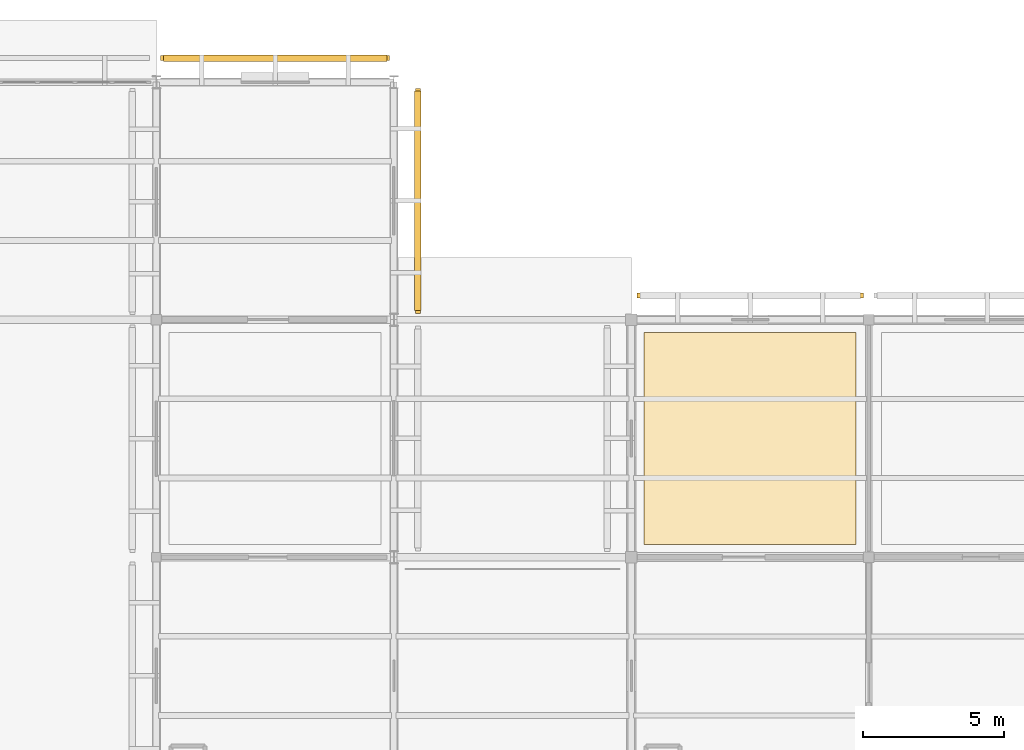
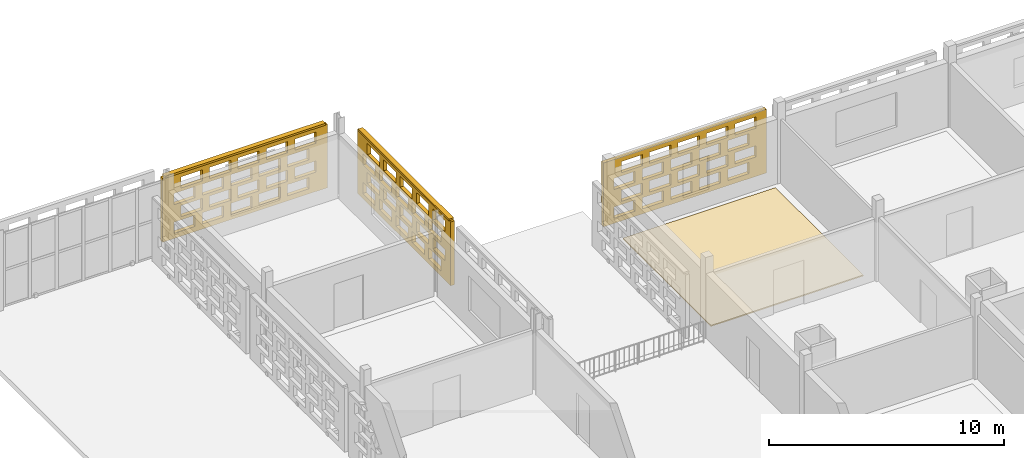
# One storey, part 137 of 140: 4 coverings, 2 shading devices, 60 openings.
"""IFC4 building model written with IfcOpenShell, lengths in metres."""

from ifc_helpers import new_model, si_unit, direction, frame, frame_2d, origin, origin_2d, place, context, subcontext, project, spatial, rectangle, extrude, material, layer, layer_set, type_object, element, save


model = new_model("IFC4")

# Units and contexts
model_context = context("Model", 3, precision=1e-05, world=origin(), true_north=direction((0.0, 1.0)))
body_context = subcontext(model_context, "Body", "Model", "MODEL_VIEW")
ifc_project = project(units=[si_unit("LENGTHUNIT", "METRE"), si_unit("AREAUNIT", "SQUARE_METRE"), si_unit("VOLUMEUNIT", "CUBIC_METRE"), si_unit("PLANEANGLEUNIT", "RADIAN"), si_unit("MASSUNIT", "GRAM", prefix="KILO")], contexts=[model_context])

# Site, building, storey
site_placement = place(None, origin())
site = spatial("IfcSite", under=ifc_project, at=site_placement, CompositionType="ELEMENT")
building_placement = place(site_placement, origin())
building = spatial("IfcBuilding", under=site, at=building_placement, Name="Varnapada Polytechnic", CompositionType="ELEMENT")
storey_placement = place(building_placement, frame((0.0, 0.0, 13.800048828125)))
storey = spatial("IfcBuildingStorey", under=building, at=storey_placement, Name="L03", CompositionType="ELEMENT", Elevation=13.800048828125)

# Covering
ifc_material_1 = material(Name="Anti-Static Raised Laboratory Flooring")
ifc_layer_1 = layer(ifc_material_1, 0.06005859375)
ifc_layer_set_1 = layer_set([ifc_layer_1], Name="Anti-Static Raised Laboratory Flooring")
covering_type_1 = type_object("IfcCoveringType", Name="Floor Finish FLR-02", PredefinedType="FLOORING", material=ifc_layer_set_1)
covering_1_placement = place(storey_placement, frame((147.0, 113.39990234375, 0.0), z_axis=(0.0, 0.0, 1.0), x_axis=(1.0, 0.0, 0.0)))
element("IfcCovering", 1, at=covering_1_placement, inside=storey, type_object=covering_type_1, Name="L03 floor finish panel (18,14)", PredefinedType="FLOORING", context=body_context, shape_type="SweptSolid", body=[
    extrude(rectangle(XDim=7.5, YDim=7.5, at=origin_2d()), origin(), (0.0, 0.0, 1.0), 0.06005859375),
])

# Covering, openings
ifc_material_2 = material(Name="Earth-toned architectural terracotta screen block", Category="masonry")
ifc_layer_2 = layer(ifc_material_2, 0.1201171875)
ifc_layer_set_2 = layer_set([ifc_layer_2], Name="Earth-toned architectural terracotta screen block")
covering_type_2 = type_object("IfcCoveringType", Name="Terracotta Screen Cladding CLD-01", PredefinedType="CLADDING", material=ifc_layer_set_2)
covering_2_placement = place(storey_placement, frame((126.14990234375, 126.85009765625, 0.0), z_axis=(0.0, 0.0, 1.0), x_axis=(1.0, 0.0, 0.0)))
covering_2 = element("IfcCovering", 2, at=covering_2_placement, inside=storey, type_object=covering_type_2, Name="L03 perforated terracotta block screen (76)", PredefinedType="CLADDING", context=body_context, shape_type="SweptSolid", body=[
    extrude(rectangle(XDim=8.10009765625, YDim=0.179931640625, at=frame_2d((4.050048828125, 0.0))), origin(), (0.0, 0.0, 1.0), 3.320068359375),
])
opening_1_placement = place(covering_2_placement, frame((0.550048828125, 0.0, 0.265625)))
element("IfcOpeningElement", 3, at=opening_1_placement, cuts=covering_2, Name="Screen perforation TBS-L03-075.1", PredefinedType="OPENING", context=body_context, shape_type="SweptSolid", body=[
    extrude(rectangle(XDim=1.0400390625, YDim=0.5810546875, at=frame_2d((0.52001953125, 0.29052734375))), frame((0.0, 0.099853515625, 0.0), z_axis=(0.0, -1.0, 0.0), x_axis=(1.0, 0.0, 0.0)), (0.0, 0.0, 1.0), 0.199951171875),
])
opening_2_placement = place(covering_2_placement, frame((1.949951171875, 0.0, 0.265625)))
element("IfcOpeningElement", 4, at=opening_2_placement, cuts=covering_2, Name="Screen perforation TBS-L03-075.2", PredefinedType="OPENING", context=body_context, shape_type="SweptSolid", body=[
    extrude(rectangle(XDim=1.0400390625, YDim=0.5810546875, at=frame_2d((0.52001953125, 0.29052734375))), frame((0.0, 0.099853515625, 0.0), z_axis=(0.0, -1.0, 0.0), x_axis=(1.0, 0.0, 0.0)), (0.0, 0.0, 1.0), 0.199951171875),
])
opening_3_placement = place(covering_2_placement, frame((3.35009765625, 0.0, 0.265625)))
element("IfcOpeningElement", 5, at=opening_3_placement, cuts=covering_2, Name="Screen perforation TBS-L03-075.3", PredefinedType="OPENING", context=body_context, shape_type="SweptSolid", body=[
    extrude(rectangle(XDim=1.0400390625, YDim=0.5810546875, at=frame_2d((0.52001953125, 0.29052734375))), frame((0.0, 0.099853515625, 0.0), z_axis=(0.0, -1.0, 0.0), x_axis=(1.0, 0.0, 0.0)), (0.0, 0.0, 1.0), 0.199951171875),
])
opening_4_placement = place(covering_2_placement, frame((4.75, 0.0, 0.265625)))
element("IfcOpeningElement", 6, at=opening_4_placement, cuts=covering_2, Name="Screen perforation TBS-L03-075.4", PredefinedType="OPENING", context=body_context, shape_type="SweptSolid", body=[
    extrude(rectangle(XDim=1.0400390625, YDim=0.5810546875, at=frame_2d((0.52001953125, 0.29052734375))), frame((0.0, 0.099853515625, 0.0), z_axis=(0.0, -1.0, 0.0), x_axis=(1.0, 0.0, 0.0)), (0.0, 0.0, 1.0), 0.199951171875),
])
opening_5_placement = place(covering_2_placement, frame((6.14990234375, 0.0, 0.265625)))
element("IfcOpeningElement", 7, at=opening_5_placement, cuts=covering_2, Name="Screen perforation TBS-L03-075.5", PredefinedType="OPENING", context=body_context, shape_type="SweptSolid", body=[
    extrude(rectangle(XDim=1.0400390625, YDim=0.5810546875, at=frame_2d((0.52001953125, 0.29052734375))), frame((0.0, 0.099853515625, 0.0), z_axis=(0.0, -1.0, 0.0), x_axis=(1.0, 0.0, 0.0)), (0.0, 0.0, 1.0), 0.199951171875),
])
opening_6_placement = place(covering_2_placement, frame((0.909912109375, 0.0, 1.0126953125)))
element("IfcOpeningElement", 8, at=opening_6_placement, cuts=covering_2, Name="Screen perforation TBS-L03-075.6", PredefinedType="OPENING", context=body_context, shape_type="SweptSolid", body=[
    extrude(rectangle(XDim=1.0400390625, YDim=0.5810546875, at=frame_2d((0.52001953125, 0.29052734375))), frame((0.0, 0.099853515625, 0.0), z_axis=(0.0, -1.0, 0.0), x_axis=(1.0, 0.0, 0.0)), (0.0, 0.0, 1.0), 0.199951171875),
])
opening_7_placement = place(covering_2_placement, frame((2.31005859375, 0.0, 1.0126953125)))
element("IfcOpeningElement", 9, at=opening_7_placement, cuts=covering_2, Name="Screen perforation TBS-L03-075.7", PredefinedType="OPENING", context=body_context, shape_type="SweptSolid", body=[
    extrude(rectangle(XDim=1.0400390625, YDim=0.5810546875, at=frame_2d((0.52001953125, 0.29052734375))), frame((0.0, 0.099853515625, 0.0), z_axis=(0.0, -1.0, 0.0), x_axis=(1.0, 0.0, 0.0)), (0.0, 0.0, 1.0), 0.199951171875),
])
opening_8_placement = place(covering_2_placement, frame((3.7099609375, 0.0, 1.0126953125)))
element("IfcOpeningElement", 10, at=opening_8_placement, cuts=covering_2, Name="Screen perforation TBS-L03-075.8", PredefinedType="OPENING", context=body_context, shape_type="SweptSolid", body=[
    extrude(rectangle(XDim=1.0400390625, YDim=0.5810546875, at=frame_2d((0.52001953125, 0.29052734375))), frame((0.0, 0.099853515625, 0.0), z_axis=(0.0, -1.0, 0.0), x_axis=(1.0, 0.0, 0.0)), (0.0, 0.0, 1.0), 0.199951171875),
])
opening_9_placement = place(covering_2_placement, frame((5.110107421875, 0.0, 1.0126953125)))
element("IfcOpeningElement", 11, at=opening_9_placement, cuts=covering_2, Name="Screen perforation TBS-L03-075.9", PredefinedType="OPENING", context=body_context, shape_type="SweptSolid", body=[
    extrude(rectangle(XDim=1.0400390625, YDim=0.5810546875, at=frame_2d((0.52001953125, 0.29052734375))), frame((0.0, 0.099853515625, 0.0), z_axis=(0.0, -1.0, 0.0), x_axis=(1.0, 0.0, 0.0)), (0.0, 0.0, 1.0), 0.199951171875),
])
opening_10_placement = place(covering_2_placement, frame((6.510009765625, 0.0, 1.0126953125)))
element("IfcOpeningElement", 12, at=opening_10_placement, cuts=covering_2, Name="Screen perforation TBS-L03-075.10", PredefinedType="OPENING", context=body_context, shape_type="SweptSolid", body=[
    extrude(rectangle(XDim=1.0400390625, YDim=0.5810546875, at=frame_2d((0.52001953125, 0.29052734375))), frame((0.0, 0.099853515625, 0.0), z_axis=(0.0, -1.0, 0.0), x_axis=(1.0, 0.0, 0.0)), (0.0, 0.0, 1.0), 0.199951171875),
])
opening_11_placement = place(covering_2_placement, frame((0.550048828125, 0.0, 1.759521484375)))
element("IfcOpeningElement", 13, at=opening_11_placement, cuts=covering_2, Name="Screen perforation TBS-L03-075.11", PredefinedType="OPENING", context=body_context, shape_type="SweptSolid", body=[
    extrude(rectangle(XDim=1.0400390625, YDim=0.5810546875, at=frame_2d((0.52001953125, 0.29052734375))), frame((0.0, 0.099853515625, 0.0), z_axis=(0.0, -1.0, 0.0), x_axis=(1.0, 0.0, 0.0)), (0.0, 0.0, 1.0), 0.199951171875),
])
opening_12_placement = place(covering_2_placement, frame((1.949951171875, 0.0, 1.759521484375)))
element("IfcOpeningElement", 14, at=opening_12_placement, cuts=covering_2, Name="Screen perforation TBS-L03-075.12", PredefinedType="OPENING", context=body_context, shape_type="SweptSolid", body=[
    extrude(rectangle(XDim=1.0400390625, YDim=0.5810546875, at=frame_2d((0.52001953125, 0.29052734375))), frame((0.0, 0.099853515625, 0.0), z_axis=(0.0, -1.0, 0.0), x_axis=(1.0, 0.0, 0.0)), (0.0, 0.0, 1.0), 0.199951171875),
])
opening_13_placement = place(covering_2_placement, frame((3.35009765625, 0.0, 1.759521484375)))
element("IfcOpeningElement", 15, at=opening_13_placement, cuts=covering_2, Name="Screen perforation TBS-L03-075.13", PredefinedType="OPENING", context=body_context, shape_type="SweptSolid", body=[
    extrude(rectangle(XDim=1.0400390625, YDim=0.5810546875, at=frame_2d((0.52001953125, 0.29052734375))), frame((0.0, 0.099853515625, 0.0), z_axis=(0.0, -1.0, 0.0), x_axis=(1.0, 0.0, 0.0)), (0.0, 0.0, 1.0), 0.199951171875),
])
opening_14_placement = place(covering_2_placement, frame((4.75, 0.0, 1.759521484375)))
element("IfcOpeningElement", 16, at=opening_14_placement, cuts=covering_2, Name="Screen perforation TBS-L03-075.14", PredefinedType="OPENING", context=body_context, shape_type="SweptSolid", body=[
    extrude(rectangle(XDim=1.0400390625, YDim=0.5810546875, at=frame_2d((0.52001953125, 0.29052734375))), frame((0.0, 0.099853515625, 0.0), z_axis=(0.0, -1.0, 0.0), x_axis=(1.0, 0.0, 0.0)), (0.0, 0.0, 1.0), 0.199951171875),
])
opening_15_placement = place(covering_2_placement, frame((6.14990234375, 0.0, 1.759521484375)))
element("IfcOpeningElement", 17, at=opening_15_placement, cuts=covering_2, Name="Screen perforation TBS-L03-075.15", PredefinedType="OPENING", context=body_context, shape_type="SweptSolid", body=[
    extrude(rectangle(XDim=1.0400390625, YDim=0.5810546875, at=frame_2d((0.52001953125, 0.29052734375))), frame((0.0, 0.099853515625, 0.0), z_axis=(0.0, -1.0, 0.0), x_axis=(1.0, 0.0, 0.0)), (0.0, 0.0, 1.0), 0.199951171875),
])
opening_16_placement = place(covering_2_placement, frame((0.909912109375, 0.0, 2.506591796875)))
element("IfcOpeningElement", 18, at=opening_16_placement, cuts=covering_2, Name="Screen perforation TBS-L03-075.16", PredefinedType="OPENING", context=body_context, shape_type="SweptSolid", body=[
    extrude(rectangle(XDim=1.0400390625, YDim=0.5810546875, at=frame_2d((0.52001953125, 0.29052734375))), frame((0.0, 0.099853515625, 0.0), z_axis=(0.0, -1.0, 0.0), x_axis=(1.0, 0.0, 0.0)), (0.0, 0.0, 1.0), 0.199951171875),
])
opening_17_placement = place(covering_2_placement, frame((2.31005859375, 0.0, 2.506591796875)))
element("IfcOpeningElement", 19, at=opening_17_placement, cuts=covering_2, Name="Screen perforation TBS-L03-075.17", PredefinedType="OPENING", context=body_context, shape_type="SweptSolid", body=[
    extrude(rectangle(XDim=1.0400390625, YDim=0.5810546875, at=frame_2d((0.52001953125, 0.29052734375))), frame((0.0, 0.099853515625, 0.0), z_axis=(0.0, -1.0, 0.0), x_axis=(1.0, 0.0, 0.0)), (0.0, 0.0, 1.0), 0.199951171875),
])
opening_18_placement = place(covering_2_placement, frame((3.7099609375, 0.0, 2.506591796875)))
element("IfcOpeningElement", 20, at=opening_18_placement, cuts=covering_2, Name="Screen perforation TBS-L03-075.18", PredefinedType="OPENING", context=body_context, shape_type="SweptSolid", body=[
    extrude(rectangle(XDim=1.0400390625, YDim=0.5810546875, at=frame_2d((0.52001953125, 0.29052734375))), frame((0.0, 0.099853515625, 0.0), z_axis=(0.0, -1.0, 0.0), x_axis=(1.0, 0.0, 0.0)), (0.0, 0.0, 1.0), 0.199951171875),
])
opening_19_placement = place(covering_2_placement, frame((5.110107421875, 0.0, 2.506591796875)))
element("IfcOpeningElement", 21, at=opening_19_placement, cuts=covering_2, Name="Screen perforation TBS-L03-075.19", PredefinedType="OPENING", context=body_context, shape_type="SweptSolid", body=[
    extrude(rectangle(XDim=1.0400390625, YDim=0.5810546875, at=frame_2d((0.52001953125, 0.29052734375))), frame((0.0, 0.099853515625, 0.0), z_axis=(0.0, -1.0, 0.0), x_axis=(1.0, 0.0, 0.0)), (0.0, 0.0, 1.0), 0.199951171875),
])
opening_20_placement = place(covering_2_placement, frame((6.510009765625, 0.0, 2.506591796875)))
element("IfcOpeningElement", 22, at=opening_20_placement, cuts=covering_2, Name="Screen perforation TBS-L03-075.20", PredefinedType="OPENING", context=body_context, shape_type="SweptSolid", body=[
    extrude(rectangle(XDim=1.0400390625, YDim=0.5810546875, at=frame_2d((0.52001953125, 0.29052734375))), frame((0.0, 0.099853515625, 0.0), z_axis=(0.0, -1.0, 0.0), x_axis=(1.0, 0.0, 0.0)), (0.0, 0.0, 1.0), 0.199951171875),
])

covering_3_placement = place(storey_placement, frame((135.25, 125.780029296875, 0.0), z_axis=(0.0, 0.0, 1.0), x_axis=(0.0, -1.0, 0.0)))
covering_3 = element("IfcCovering", 23, at=covering_3_placement, inside=storey, type_object=covering_type_2, Name="L03 perforated terracotta block screen (78)", PredefinedType="CLADDING", context=body_context, shape_type="SweptSolid", body=[
    extrude(rectangle(XDim=7.955078125, YDim=0.179931640625, at=frame_2d((3.9775390625, 0.0))), origin(), (0.0, 0.0, 1.0), 3.320068359375),
])
opening_21_placement = place(covering_3_placement, frame((0.4775390625, 0.0, 0.265625)))
element("IfcOpeningElement", 24, at=opening_21_placement, cuts=covering_3, Name="Screen perforation TBS-L03-077.1", PredefinedType="OPENING", context=body_context, shape_type="SweptSolid", body=[
    extrude(rectangle(XDim=1.0400390625, YDim=0.5810546875, at=frame_2d((0.52001953125, 0.29052734375))), frame((0.0, 0.099853515625, 0.0), z_axis=(0.0, -1.0, 0.0), x_axis=(1.0, 0.0, 0.0)), (0.0, 0.0, 1.0), 0.199951171875),
])
opening_22_placement = place(covering_3_placement, frame((1.87744140625, 0.0, 0.265625)))
element("IfcOpeningElement", 25, at=opening_22_placement, cuts=covering_3, Name="Screen perforation TBS-L03-077.2", PredefinedType="OPENING", context=body_context, shape_type="SweptSolid", body=[
    extrude(rectangle(XDim=1.0400390625, YDim=0.5810546875, at=frame_2d((0.52001953125, 0.29052734375))), frame((0.0, 0.099853515625, 0.0), z_axis=(0.0, -1.0, 0.0), x_axis=(1.0, 0.0, 0.0)), (0.0, 0.0, 1.0), 0.199951171875),
])
opening_23_placement = place(covering_3_placement, frame((3.277587890625, 0.0, 0.265625)))
element("IfcOpeningElement", 26, at=opening_23_placement, cuts=covering_3, Name="Screen perforation TBS-L03-077.3", PredefinedType="OPENING", context=body_context, shape_type="SweptSolid", body=[
    extrude(rectangle(XDim=1.0400390625, YDim=0.5810546875, at=frame_2d((0.52001953125, 0.29052734375))), frame((0.0, 0.099853515625, 0.0), z_axis=(0.0, -1.0, 0.0), x_axis=(1.0, 0.0, 0.0)), (0.0, 0.0, 1.0), 0.199951171875),
])
opening_24_placement = place(covering_3_placement, frame((4.677490234375, 0.0, 0.265625)))
element("IfcOpeningElement", 27, at=opening_24_placement, cuts=covering_3, Name="Screen perforation TBS-L03-077.4", PredefinedType="OPENING", context=body_context, shape_type="SweptSolid", body=[
    extrude(rectangle(XDim=1.0400390625, YDim=0.5810546875, at=frame_2d((0.52001953125, 0.29052734375))), frame((0.0, 0.099853515625, 0.0), z_axis=(0.0, -1.0, 0.0), x_axis=(1.0, 0.0, 0.0)), (0.0, 0.0, 1.0), 0.199951171875),
])
opening_25_placement = place(covering_3_placement, frame((6.077392578125, 0.0, 0.265625)))
element("IfcOpeningElement", 28, at=opening_25_placement, cuts=covering_3, Name="Screen perforation TBS-L03-077.5", PredefinedType="OPENING", context=body_context, shape_type="SweptSolid", body=[
    extrude(rectangle(XDim=1.0400390625, YDim=0.5810546875, at=frame_2d((0.52001953125, 0.29052734375))), frame((0.0, 0.099853515625, 0.0), z_axis=(0.0, -1.0, 0.0), x_axis=(1.0, 0.0, 0.0)), (0.0, 0.0, 1.0), 0.199951171875),
])
opening_26_placement = place(covering_3_placement, frame((0.83740234375, 0.0, 1.0126953125)))
element("IfcOpeningElement", 29, at=opening_26_placement, cuts=covering_3, Name="Screen perforation TBS-L03-077.6", PredefinedType="OPENING", context=body_context, shape_type="SweptSolid", body=[
    extrude(rectangle(XDim=1.0400390625, YDim=0.5810546875, at=frame_2d((0.52001953125, 0.29052734375))), frame((0.0, 0.099853515625, 0.0), z_axis=(0.0, -1.0, 0.0), x_axis=(1.0, 0.0, 0.0)), (0.0, 0.0, 1.0), 0.199951171875),
])
opening_27_placement = place(covering_3_placement, frame((2.237548828125, 0.0, 1.0126953125)))
element("IfcOpeningElement", 30, at=opening_27_placement, cuts=covering_3, Name="Screen perforation TBS-L03-077.7", PredefinedType="OPENING", context=body_context, shape_type="SweptSolid", body=[
    extrude(rectangle(XDim=1.0400390625, YDim=0.5810546875, at=frame_2d((0.52001953125, 0.29052734375))), frame((0.0, 0.099853515625, 0.0), z_axis=(0.0, -1.0, 0.0), x_axis=(1.0, 0.0, 0.0)), (0.0, 0.0, 1.0), 0.199951171875),
])
opening_28_placement = place(covering_3_placement, frame((3.637451171875, 0.0, 1.0126953125)))
element("IfcOpeningElement", 31, at=opening_28_placement, cuts=covering_3, Name="Screen perforation TBS-L03-077.8", PredefinedType="OPENING", context=body_context, shape_type="SweptSolid", body=[
    extrude(rectangle(XDim=1.0400390625, YDim=0.5810546875, at=frame_2d((0.52001953125, 0.29052734375))), frame((0.0, 0.099853515625, 0.0), z_axis=(0.0, -1.0, 0.0), x_axis=(1.0, 0.0, 0.0)), (0.0, 0.0, 1.0), 0.199951171875),
])
opening_29_placement = place(covering_3_placement, frame((5.03759765625, 0.0, 1.0126953125)))
element("IfcOpeningElement", 32, at=opening_29_placement, cuts=covering_3, Name="Screen perforation TBS-L03-077.9", PredefinedType="OPENING", context=body_context, shape_type="SweptSolid", body=[
    extrude(rectangle(XDim=1.0400390625, YDim=0.5810546875, at=frame_2d((0.52001953125, 0.29052734375))), frame((0.0, 0.099853515625, 0.0), z_axis=(0.0, -1.0, 0.0), x_axis=(1.0, 0.0, 0.0)), (0.0, 0.0, 1.0), 0.199951171875),
])
opening_30_placement = place(covering_3_placement, frame((6.4375, 0.0, 1.0126953125)))
element("IfcOpeningElement", 33, at=opening_30_placement, cuts=covering_3, Name="Screen perforation TBS-L03-077.10", PredefinedType="OPENING", context=body_context, shape_type="SweptSolid", body=[
    extrude(rectangle(XDim=1.0400390625, YDim=0.5810546875, at=frame_2d((0.52001953125, 0.29052734375))), frame((0.0, 0.099853515625, 0.0), z_axis=(0.0, -1.0, 0.0), x_axis=(1.0, 0.0, 0.0)), (0.0, 0.0, 1.0), 0.199951171875),
])
opening_31_placement = place(covering_3_placement, frame((0.4775390625, 0.0, 1.759521484375)))
element("IfcOpeningElement", 34, at=opening_31_placement, cuts=covering_3, Name="Screen perforation TBS-L03-077.11", PredefinedType="OPENING", context=body_context, shape_type="SweptSolid", body=[
    extrude(rectangle(XDim=1.0400390625, YDim=0.5810546875, at=frame_2d((0.52001953125, 0.29052734375))), frame((0.0, 0.099853515625, 0.0), z_axis=(0.0, -1.0, 0.0), x_axis=(1.0, 0.0, 0.0)), (0.0, 0.0, 1.0), 0.199951171875),
])
opening_32_placement = place(covering_3_placement, frame((1.87744140625, 0.0, 1.759521484375)))
element("IfcOpeningElement", 35, at=opening_32_placement, cuts=covering_3, Name="Screen perforation TBS-L03-077.12", PredefinedType="OPENING", context=body_context, shape_type="SweptSolid", body=[
    extrude(rectangle(XDim=1.0400390625, YDim=0.5810546875, at=frame_2d((0.52001953125, 0.29052734375))), frame((0.0, 0.099853515625, 0.0), z_axis=(0.0, -1.0, 0.0), x_axis=(1.0, 0.0, 0.0)), (0.0, 0.0, 1.0), 0.199951171875),
])
opening_33_placement = place(covering_3_placement, frame((3.277587890625, 0.0, 1.759521484375)))
element("IfcOpeningElement", 36, at=opening_33_placement, cuts=covering_3, Name="Screen perforation TBS-L03-077.13", PredefinedType="OPENING", context=body_context, shape_type="SweptSolid", body=[
    extrude(rectangle(XDim=1.0400390625, YDim=0.5810546875, at=frame_2d((0.52001953125, 0.29052734375))), frame((0.0, 0.099853515625, 0.0), z_axis=(0.0, -1.0, 0.0), x_axis=(1.0, 0.0, 0.0)), (0.0, 0.0, 1.0), 0.199951171875),
])
opening_34_placement = place(covering_3_placement, frame((4.677490234375, 0.0, 1.759521484375)))
element("IfcOpeningElement", 37, at=opening_34_placement, cuts=covering_3, Name="Screen perforation TBS-L03-077.14", PredefinedType="OPENING", context=body_context, shape_type="SweptSolid", body=[
    extrude(rectangle(XDim=1.0400390625, YDim=0.5810546875, at=frame_2d((0.52001953125, 0.29052734375))), frame((0.0, 0.099853515625, 0.0), z_axis=(0.0, -1.0, 0.0), x_axis=(1.0, 0.0, 0.0)), (0.0, 0.0, 1.0), 0.199951171875),
])
opening_35_placement = place(covering_3_placement, frame((6.077392578125, 0.0, 1.759521484375)))
element("IfcOpeningElement", 38, at=opening_35_placement, cuts=covering_3, Name="Screen perforation TBS-L03-077.15", PredefinedType="OPENING", context=body_context, shape_type="SweptSolid", body=[
    extrude(rectangle(XDim=1.0400390625, YDim=0.5810546875, at=frame_2d((0.52001953125, 0.29052734375))), frame((0.0, 0.099853515625, 0.0), z_axis=(0.0, -1.0, 0.0), x_axis=(1.0, 0.0, 0.0)), (0.0, 0.0, 1.0), 0.199951171875),
])
opening_36_placement = place(covering_3_placement, frame((0.83740234375, 0.0, 2.506591796875)))
element("IfcOpeningElement", 39, at=opening_36_placement, cuts=covering_3, Name="Screen perforation TBS-L03-077.16", PredefinedType="OPENING", context=body_context, shape_type="SweptSolid", body=[
    extrude(rectangle(XDim=1.0400390625, YDim=0.5810546875, at=frame_2d((0.52001953125, 0.29052734375))), frame((0.0, 0.099853515625, 0.0), z_axis=(0.0, -1.0, 0.0), x_axis=(1.0, 0.0, 0.0)), (0.0, 0.0, 1.0), 0.199951171875),
])
opening_37_placement = place(covering_3_placement, frame((2.237548828125, 0.0, 2.506591796875)))
element("IfcOpeningElement", 40, at=opening_37_placement, cuts=covering_3, Name="Screen perforation TBS-L03-077.17", PredefinedType="OPENING", context=body_context, shape_type="SweptSolid", body=[
    extrude(rectangle(XDim=1.0400390625, YDim=0.5810546875, at=frame_2d((0.52001953125, 0.29052734375))), frame((0.0, 0.099853515625, 0.0), z_axis=(0.0, -1.0, 0.0), x_axis=(1.0, 0.0, 0.0)), (0.0, 0.0, 1.0), 0.199951171875),
])
opening_38_placement = place(covering_3_placement, frame((3.637451171875, 0.0, 2.506591796875)))
element("IfcOpeningElement", 41, at=opening_38_placement, cuts=covering_3, Name="Screen perforation TBS-L03-077.18", PredefinedType="OPENING", context=body_context, shape_type="SweptSolid", body=[
    extrude(rectangle(XDim=1.0400390625, YDim=0.5810546875, at=frame_2d((0.52001953125, 0.29052734375))), frame((0.0, 0.099853515625, 0.0), z_axis=(0.0, -1.0, 0.0), x_axis=(1.0, 0.0, 0.0)), (0.0, 0.0, 1.0), 0.199951171875),
])
opening_39_placement = place(covering_3_placement, frame((5.03759765625, 0.0, 2.506591796875)))
element("IfcOpeningElement", 42, at=opening_39_placement, cuts=covering_3, Name="Screen perforation TBS-L03-077.19", PredefinedType="OPENING", context=body_context, shape_type="SweptSolid", body=[
    extrude(rectangle(XDim=1.0400390625, YDim=0.5810546875, at=frame_2d((0.52001953125, 0.29052734375))), frame((0.0, 0.099853515625, 0.0), z_axis=(0.0, -1.0, 0.0), x_axis=(1.0, 0.0, 0.0)), (0.0, 0.0, 1.0), 0.199951171875),
])
opening_40_placement = place(covering_3_placement, frame((6.4375, 0.0, 2.506591796875)))
element("IfcOpeningElement", 43, at=opening_40_placement, cuts=covering_3, Name="Screen perforation TBS-L03-077.20", PredefinedType="OPENING", context=body_context, shape_type="SweptSolid", body=[
    extrude(rectangle(XDim=1.0400390625, YDim=0.5810546875, at=frame_2d((0.52001953125, 0.29052734375))), frame((0.0, 0.099853515625, 0.0), z_axis=(0.0, -1.0, 0.0), x_axis=(1.0, 0.0, 0.0)), (0.0, 0.0, 1.0), 0.199951171875),
])

covering_4_placement = place(storey_placement, frame((143.0, 118.449951171875, 0.0), z_axis=(0.0, 0.0, 1.0), x_axis=(1.0, 0.0, 0.0)))
covering_4 = element("IfcCovering", 44, at=covering_4_placement, inside=storey, type_object=covering_type_2, Name="L03 perforated terracotta block screen (86)", PredefinedType="CLADDING", context=body_context, shape_type="SweptSolid", body=[
    extrude(rectangle(XDim=8.010009765625, YDim=0.179931640625, at=frame_2d((4.0048828125, 0.0))), origin(), (0.0, 0.0, 1.0), 3.320068359375),
])
opening_41_placement = place(covering_4_placement, frame((0.5048828125, 0.0, 0.265625)))
element("IfcOpeningElement", 45, at=opening_41_placement, cuts=covering_4, Name="Screen perforation TBS-L03-085.1", PredefinedType="OPENING", context=body_context, shape_type="SweptSolid", body=[
    extrude(rectangle(XDim=1.0400390625, YDim=0.5810546875, at=frame_2d((0.52001953125, 0.29052734375))), frame((0.0, 0.099853515625, 0.0), z_axis=(0.0, -1.0, 0.0), x_axis=(1.0, 0.0, 0.0)), (0.0, 0.0, 1.0), 0.199951171875),
])
opening_42_placement = place(covering_4_placement, frame((1.905029296875, 0.0, 0.265625)))
element("IfcOpeningElement", 46, at=opening_42_placement, cuts=covering_4, Name="Screen perforation TBS-L03-085.2", PredefinedType="OPENING", context=body_context, shape_type="SweptSolid", body=[
    extrude(rectangle(XDim=1.0400390625, YDim=0.5810546875, at=frame_2d((0.52001953125, 0.29052734375))), frame((0.0, 0.099853515625, 0.0), z_axis=(0.0, -1.0, 0.0), x_axis=(1.0, 0.0, 0.0)), (0.0, 0.0, 1.0), 0.199951171875),
])
opening_43_placement = place(covering_4_placement, frame((3.304931640625, 0.0, 0.265625)))
element("IfcOpeningElement", 47, at=opening_43_placement, cuts=covering_4, Name="Screen perforation TBS-L03-085.3", PredefinedType="OPENING", context=body_context, shape_type="SweptSolid", body=[
    extrude(rectangle(XDim=1.0400390625, YDim=0.5810546875, at=frame_2d((0.52001953125, 0.29052734375))), frame((0.0, 0.099853515625, 0.0), z_axis=(0.0, -1.0, 0.0), x_axis=(1.0, 0.0, 0.0)), (0.0, 0.0, 1.0), 0.199951171875),
])
opening_44_placement = place(covering_4_placement, frame((4.705078125, 0.0, 0.265625)))
element("IfcOpeningElement", 48, at=opening_44_placement, cuts=covering_4, Name="Screen perforation TBS-L03-085.4", PredefinedType="OPENING", context=body_context, shape_type="SweptSolid", body=[
    extrude(rectangle(XDim=1.0400390625, YDim=0.5810546875, at=frame_2d((0.52001953125, 0.29052734375))), frame((0.0, 0.099853515625, 0.0), z_axis=(0.0, -1.0, 0.0), x_axis=(1.0, 0.0, 0.0)), (0.0, 0.0, 1.0), 0.199951171875),
])
opening_45_placement = place(covering_4_placement, frame((6.10498046875, 0.0, 0.265625)))
element("IfcOpeningElement", 49, at=opening_45_placement, cuts=covering_4, Name="Screen perforation TBS-L03-085.5", PredefinedType="OPENING", context=body_context, shape_type="SweptSolid", body=[
    extrude(rectangle(XDim=1.0400390625, YDim=0.5810546875, at=frame_2d((0.52001953125, 0.29052734375))), frame((0.0, 0.099853515625, 0.0), z_axis=(0.0, -1.0, 0.0), x_axis=(1.0, 0.0, 0.0)), (0.0, 0.0, 1.0), 0.199951171875),
])
opening_46_placement = place(covering_4_placement, frame((0.864990234375, 0.0, 1.0126953125)))
element("IfcOpeningElement", 50, at=opening_46_placement, cuts=covering_4, Name="Screen perforation TBS-L03-085.6", PredefinedType="OPENING", context=body_context, shape_type="SweptSolid", body=[
    extrude(rectangle(XDim=1.0400390625, YDim=0.5810546875, at=frame_2d((0.52001953125, 0.29052734375))), frame((0.0, 0.099853515625, 0.0), z_axis=(0.0, -1.0, 0.0), x_axis=(1.0, 0.0, 0.0)), (0.0, 0.0, 1.0), 0.199951171875),
])
opening_47_placement = place(covering_4_placement, frame((2.264892578125, 0.0, 1.0126953125)))
element("IfcOpeningElement", 51, at=opening_47_placement, cuts=covering_4, Name="Screen perforation TBS-L03-085.7", PredefinedType="OPENING", context=body_context, shape_type="SweptSolid", body=[
    extrude(rectangle(XDim=1.0400390625, YDim=0.5810546875, at=frame_2d((0.52001953125, 0.29052734375))), frame((0.0, 0.099853515625, 0.0), z_axis=(0.0, -1.0, 0.0), x_axis=(1.0, 0.0, 0.0)), (0.0, 0.0, 1.0), 0.199951171875),
])
opening_48_placement = place(covering_4_placement, frame((3.6650390625, 0.0, 1.0126953125)))
element("IfcOpeningElement", 52, at=opening_48_placement, cuts=covering_4, Name="Screen perforation TBS-L03-085.8", PredefinedType="OPENING", context=body_context, shape_type="SweptSolid", body=[
    extrude(rectangle(XDim=1.0400390625, YDim=0.5810546875, at=frame_2d((0.52001953125, 0.29052734375))), frame((0.0, 0.099853515625, 0.0), z_axis=(0.0, -1.0, 0.0), x_axis=(1.0, 0.0, 0.0)), (0.0, 0.0, 1.0), 0.199951171875),
])
opening_49_placement = place(covering_4_placement, frame((5.06494140625, 0.0, 1.0126953125)))
element("IfcOpeningElement", 53, at=opening_49_placement, cuts=covering_4, Name="Screen perforation TBS-L03-085.9", PredefinedType="OPENING", context=body_context, shape_type="SweptSolid", body=[
    extrude(rectangle(XDim=1.0400390625, YDim=0.5810546875, at=frame_2d((0.52001953125, 0.29052734375))), frame((0.0, 0.099853515625, 0.0), z_axis=(0.0, -1.0, 0.0), x_axis=(1.0, 0.0, 0.0)), (0.0, 0.0, 1.0), 0.199951171875),
])
opening_50_placement = place(covering_4_placement, frame((6.465087890625, 0.0, 1.0126953125)))
element("IfcOpeningElement", 54, at=opening_50_placement, cuts=covering_4, Name="Screen perforation TBS-L03-085.10", PredefinedType="OPENING", context=body_context, shape_type="SweptSolid", body=[
    extrude(rectangle(XDim=1.0400390625, YDim=0.5810546875, at=frame_2d((0.52001953125, 0.29052734375))), frame((0.0, 0.099853515625, 0.0), z_axis=(0.0, -1.0, 0.0), x_axis=(1.0, 0.0, 0.0)), (0.0, 0.0, 1.0), 0.199951171875),
])
opening_51_placement = place(covering_4_placement, frame((0.5048828125, 0.0, 1.759521484375)))
element("IfcOpeningElement", 55, at=opening_51_placement, cuts=covering_4, Name="Screen perforation TBS-L03-085.11", PredefinedType="OPENING", context=body_context, shape_type="SweptSolid", body=[
    extrude(rectangle(XDim=1.0400390625, YDim=0.5810546875, at=frame_2d((0.52001953125, 0.29052734375))), frame((0.0, 0.099853515625, 0.0), z_axis=(0.0, -1.0, 0.0), x_axis=(1.0, 0.0, 0.0)), (0.0, 0.0, 1.0), 0.199951171875),
])
opening_52_placement = place(covering_4_placement, frame((1.905029296875, 0.0, 1.759521484375)))
element("IfcOpeningElement", 56, at=opening_52_placement, cuts=covering_4, Name="Screen perforation TBS-L03-085.12", PredefinedType="OPENING", context=body_context, shape_type="SweptSolid", body=[
    extrude(rectangle(XDim=1.0400390625, YDim=0.5810546875, at=frame_2d((0.52001953125, 0.29052734375))), frame((0.0, 0.099853515625, 0.0), z_axis=(0.0, -1.0, 0.0), x_axis=(1.0, 0.0, 0.0)), (0.0, 0.0, 1.0), 0.199951171875),
])
opening_53_placement = place(covering_4_placement, frame((3.304931640625, 0.0, 1.759521484375)))
element("IfcOpeningElement", 57, at=opening_53_placement, cuts=covering_4, Name="Screen perforation TBS-L03-085.13", PredefinedType="OPENING", context=body_context, shape_type="SweptSolid", body=[
    extrude(rectangle(XDim=1.0400390625, YDim=0.5810546875, at=frame_2d((0.52001953125, 0.29052734375))), frame((0.0, 0.099853515625, 0.0), z_axis=(0.0, -1.0, 0.0), x_axis=(1.0, 0.0, 0.0)), (0.0, 0.0, 1.0), 0.199951171875),
])
opening_54_placement = place(covering_4_placement, frame((4.705078125, 0.0, 1.759521484375)))
element("IfcOpeningElement", 58, at=opening_54_placement, cuts=covering_4, Name="Screen perforation TBS-L03-085.14", PredefinedType="OPENING", context=body_context, shape_type="SweptSolid", body=[
    extrude(rectangle(XDim=1.0400390625, YDim=0.5810546875, at=frame_2d((0.52001953125, 0.29052734375))), frame((0.0, 0.099853515625, 0.0), z_axis=(0.0, -1.0, 0.0), x_axis=(1.0, 0.0, 0.0)), (0.0, 0.0, 1.0), 0.199951171875),
])
opening_55_placement = place(covering_4_placement, frame((6.10498046875, 0.0, 1.759521484375)))
element("IfcOpeningElement", 59, at=opening_55_placement, cuts=covering_4, Name="Screen perforation TBS-L03-085.15", PredefinedType="OPENING", context=body_context, shape_type="SweptSolid", body=[
    extrude(rectangle(XDim=1.0400390625, YDim=0.5810546875, at=frame_2d((0.52001953125, 0.29052734375))), frame((0.0, 0.099853515625, 0.0), z_axis=(0.0, -1.0, 0.0), x_axis=(1.0, 0.0, 0.0)), (0.0, 0.0, 1.0), 0.199951171875),
])
opening_56_placement = place(covering_4_placement, frame((0.864990234375, 0.0, 2.506591796875)))
element("IfcOpeningElement", 60, at=opening_56_placement, cuts=covering_4, Name="Screen perforation TBS-L03-085.16", PredefinedType="OPENING", context=body_context, shape_type="SweptSolid", body=[
    extrude(rectangle(XDim=1.0400390625, YDim=0.5810546875, at=frame_2d((0.52001953125, 0.29052734375))), frame((0.0, 0.099853515625, 0.0), z_axis=(0.0, -1.0, 0.0), x_axis=(1.0, 0.0, 0.0)), (0.0, 0.0, 1.0), 0.199951171875),
])
opening_57_placement = place(covering_4_placement, frame((2.264892578125, 0.0, 2.506591796875)))
element("IfcOpeningElement", 61, at=opening_57_placement, cuts=covering_4, Name="Screen perforation TBS-L03-085.17", PredefinedType="OPENING", context=body_context, shape_type="SweptSolid", body=[
    extrude(rectangle(XDim=1.0400390625, YDim=0.5810546875, at=frame_2d((0.52001953125, 0.29052734375))), frame((0.0, 0.099853515625, 0.0), z_axis=(0.0, -1.0, 0.0), x_axis=(1.0, 0.0, 0.0)), (0.0, 0.0, 1.0), 0.199951171875),
])
opening_58_placement = place(covering_4_placement, frame((3.6650390625, 0.0, 2.506591796875)))
element("IfcOpeningElement", 62, at=opening_58_placement, cuts=covering_4, Name="Screen perforation TBS-L03-085.18", PredefinedType="OPENING", context=body_context, shape_type="SweptSolid", body=[
    extrude(rectangle(XDim=1.0400390625, YDim=0.5810546875, at=frame_2d((0.52001953125, 0.29052734375))), frame((0.0, 0.099853515625, 0.0), z_axis=(0.0, -1.0, 0.0), x_axis=(1.0, 0.0, 0.0)), (0.0, 0.0, 1.0), 0.199951171875),
])
opening_59_placement = place(covering_4_placement, frame((5.06494140625, 0.0, 2.506591796875)))
element("IfcOpeningElement", 63, at=opening_59_placement, cuts=covering_4, Name="Screen perforation TBS-L03-085.19", PredefinedType="OPENING", context=body_context, shape_type="SweptSolid", body=[
    extrude(rectangle(XDim=1.0400390625, YDim=0.5810546875, at=frame_2d((0.52001953125, 0.29052734375))), frame((0.0, 0.099853515625, 0.0), z_axis=(0.0, -1.0, 0.0), x_axis=(1.0, 0.0, 0.0)), (0.0, 0.0, 1.0), 0.199951171875),
])
opening_60_placement = place(covering_4_placement, frame((6.465087890625, 0.0, 2.506591796875)))
element("IfcOpeningElement", 64, at=opening_60_placement, cuts=covering_4, Name="Screen perforation TBS-L03-085.20", PredefinedType="OPENING", context=body_context, shape_type="SweptSolid", body=[
    extrude(rectangle(XDim=1.0400390625, YDim=0.5810546875, at=frame_2d((0.52001953125, 0.29052734375))), frame((0.0, 0.099853515625, 0.0), z_axis=(0.0, -1.0, 0.0), x_axis=(1.0, 0.0, 0.0)), (0.0, 0.0, 1.0), 0.199951171875),
])

# Shading devices
ifc_layer_3 = layer(ifc_material_2, 0.179931640625)
ifc_layer_set_3 = layer_set([ifc_layer_3], Name="Earth-toned architectural terracotta screen block")
shading_device_type = type_object("IfcShadingDeviceType", Name="Terracotta Screen SCR-01", PredefinedType="USERDEFINED", material=ifc_layer_set_3)
shading_device_1_placement = place(storey_placement, frame((130.199951171875, 126.85009765625, 3.309814453125), z_axis=(0.0, 0.0, 1.0), x_axis=(1.0, 0.0, 0.0)))
element("IfcShadingDevice", 65, at=shading_device_1_placement, inside=storey, type_object=shading_device_type, Name="L03 perforated terracotta screen hood 403", ObjectType="SCREEN", PredefinedType="USERDEFINED", context=body_context, shape_type="SweptSolid", body=[
    extrude(rectangle(XDim=7.89990234375, YDim=0.239990234375, at=origin_2d()), origin(), (0.0, 0.0, 1.0), 0.10009765625),
])
shading_device_2_placement = place(storey_placement, frame((135.25, 121.802490234375, 3.309814453125), z_axis=(0.0, 0.0, 1.0), x_axis=(0.0, -1.0, 0.0)))
element("IfcShadingDevice", 66, at=shading_device_2_placement, inside=storey, type_object=shading_device_type, Name="L03 perforated terracotta screen hood 405", ObjectType="SCREEN", PredefinedType="USERDEFINED", context=body_context, shape_type="SweptSolid", body=[
    extrude(rectangle(XDim=7.7548828125, YDim=0.239990234375, at=origin_2d()), origin(), (0.0, 0.0, 1.0), 0.10009765625),
])

save(model, "model.ifc")
